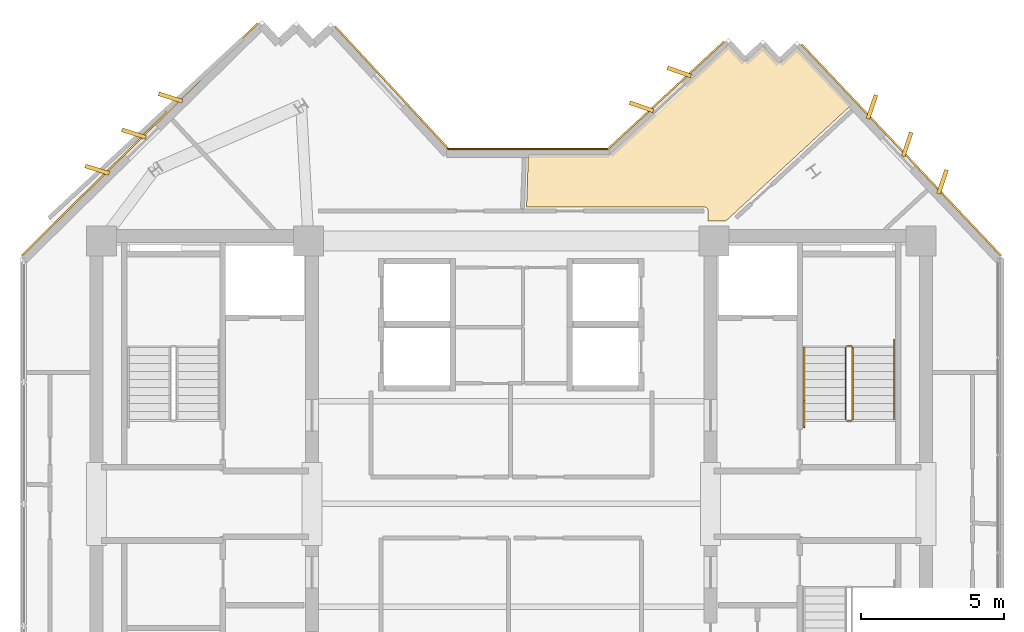
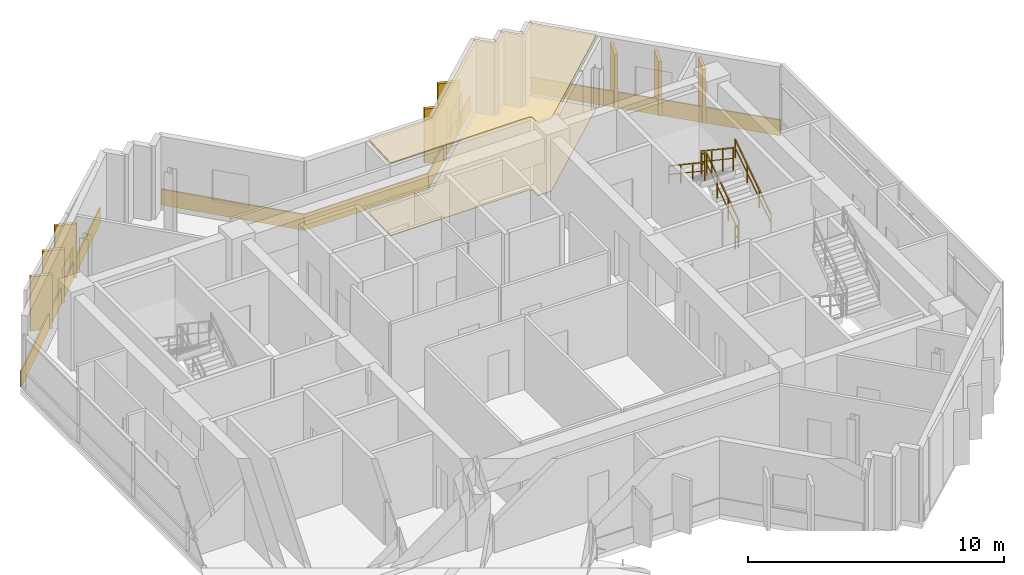
# One storey, part 9 of 9: 15 coverings, 6 railings.
"""IFC4 building model written with IfcOpenShell, lengths in metres."""

from ifc_helpers import new_model, si_unit, direction, frame, origin, origin_2d, place, context, subcontext, project, spatial, polyline, rectangle, outline, extrude, source, transform, mapped, material, layer, layer_set, type_object, element, save


model = new_model("IFC4")

# Units and contexts
model_context = context("Model", 3, precision=1e-05, world=origin(), true_north=direction((0.0, 1.0)))
body_context = subcontext(model_context, "Body", "Model", "MODEL_VIEW")
ifc_project = project(units=[si_unit("LENGTHUNIT", "METRE"), si_unit("AREAUNIT", "SQUARE_METRE"), si_unit("VOLUMEUNIT", "CUBIC_METRE"), si_unit("PLANEANGLEUNIT", "RADIAN"), si_unit("MASSUNIT", "GRAM", prefix="KILO")], contexts=[model_context])

# Site, building, storey
site_placement = place(None, origin())
site = spatial("IfcSite", under=ifc_project, at=site_placement, CompositionType="ELEMENT")
building_placement = place(site_placement, origin())
building = spatial("IfcBuilding", under=site, at=building_placement, Name="Zahravan Cultural Tower", CompositionType="ELEMENT")
storey_placement = place(building_placement, frame((0.0, 0.0, 299.10009765625)))
storey = spatial("IfcBuildingStorey", under=building, at=storey_placement, Name="L72", CompositionType="ELEMENT", Elevation=299.10009765625)

# Coverings
ifc_material_1 = material(Name="Acoustic mineral fibreboard")
ifc_layer_1 = layer(ifc_material_1, 0.0400390625)
ifc_layer_set_1 = layer_set([ifc_layer_1], Name="Acoustic mineral fibreboard")
covering_type_1 = type_object("IfcCoveringType", Name="COV-CEIL-AC20", PredefinedType="CEILING", material=ifc_layer_set_1)
covering_1_placement = place(storey_placement, frame((0.0, 0.0, 3.4599609375)))
element("IfcCovering", 1, at=covering_1_placement, inside=storey, type_object=covering_type_1, Name="L72 Acoustic Suspended Ceiling", PredefinedType="CEILING", context=body_context, shape_type="SweptSolid", body=[
    extrude(outline(polyline([(46.0068359375, 42.984619140625), (45.492919921875, 42.509521484375), (45.4326171875, 42.476318359375), (45.353515625, 42.4755859375), (45.2890625, 42.50927734375), (44.8056640625, 43.031494140625), (44.293212890625, 42.5576171875), (44.246337890625, 42.52880859375), (44.184326171875, 42.51904296875), (44.122802734375, 42.53369140625), (44.078125, 42.566162109375), (43.6044921875, 43.078369140625), (39.4951171875, 39.277587890625), (39.450927734375, 39.249755859375), (39.3994140625, 39.239990234375), (36.59814453125, 39.239990234375), (36.53515625, 37.39990234375), (42.77392578125, 37.399658203125), (42.8525390625, 37.362548828125), (42.8896484375, 37.283935546875), (42.889892578125, 36.89990234375), (43.5078125, 36.89990234375), (47.8876953125, 40.951171875), (46.0068359375, 42.984619140625)])), origin(), (0.0, 0.0, 1.0), 0.0400390625),
])
ifc_material_2 = material(Name="Terrazzo flooring")
ifc_layer_2 = layer(ifc_material_2, 0.02490234375)
ifc_layer_set_2 = layer_set([ifc_layer_2], Name="Terrazzo flooring")
covering_type_2 = type_object("IfcCoveringType", Name="COV-FLR-TZ25", PredefinedType="FLOORING", material=ifc_layer_set_2)
covering_2_placement = place(storey_placement, origin())
element("IfcCovering", 2, at=covering_2_placement, inside=storey, type_object=covering_type_2, Name="L72 Polished Terrazzo Flooring", PredefinedType="FLOORING", context=body_context, shape_type="SweptSolid", body=[
    extrude(outline(polyline([(46.0068359375, 42.984619140625), (45.492919921875, 42.509521484375), (45.4326171875, 42.476318359375), (45.353515625, 42.4755859375), (45.2890625, 42.50927734375), (44.8056640625, 43.031494140625), (44.293212890625, 42.5576171875), (44.246337890625, 42.52880859375), (44.184326171875, 42.51904296875), (44.122802734375, 42.53369140625), (44.078125, 42.566162109375), (43.6044921875, 43.078369140625), (39.4951171875, 39.277587890625), (39.450927734375, 39.249755859375), (39.3994140625, 39.239990234375), (36.59814453125, 39.239990234375), (36.53515625, 37.39990234375), (42.77392578125, 37.399658203125), (42.8525390625, 37.362548828125), (42.8896484375, 37.283935546875), (42.889892578125, 36.89990234375), (43.5078125, 36.89990234375), (47.8876953125, 40.951171875), (46.0068359375, 42.984619140625)])), origin(), (0.0, 0.0, 1.0), 0.02490234375),
])

# Railings
ifc_material_3 = material(Name="Steel ASTM A572 Grade 50", Category="steel")
railing_type_1 = type_object("IfcRailingType", Name="RL-STAIR-GRD1150", PredefinedType="BALUSTRADE", material=ifc_material_3)
railing_1_placement = place(storey_placement, frame((47.949951171875, 29.949951171875, 0.1875)))
element("IfcRailing", 3, at=railing_1_placement, inside=storey, type_object=railing_type_1, Name="L72 ST-E1 stair guard 1", PredefinedType="BALUSTRADE", context=body_context, shape_type="SweptSolid", body=[
    extrude(rectangle(XDim=0.05, YDim=0.05, at=origin_2d()), frame((0.0, 0.0, 1.0751953125), z_axis=(0.0, 0.830909170722, 0.55640807867), x_axis=(-1.0, 0.0, 0.0)), (0.0, 0.0, 1.0), 3.032958984375),
    extrude(rectangle(XDim=0.032, YDim=0.032, at=origin_2d()), frame((0.0, 0.0, 0.572021484375), z_axis=(0.0, 0.830909170722, 0.55640807867), x_axis=(-1.0, 0.0, 0.0)), (0.0, 0.0, 1.0), 3.032958984375),
    extrude(rectangle(XDim=0.04, YDim=0.04, at=origin_2d()), origin(), (0.0, 0.0, 1.0), 1.10009765625),
    extrude(rectangle(XDim=0.04, YDim=0.04, at=origin_2d()), frame((0.0, 0.840087890625, 0.5625)), (0.0, 0.0, 1.0), 1.10009765625),
    extrude(rectangle(XDim=0.04, YDim=0.04, at=origin_2d()), frame((0.0, 1.679931640625, 1.125)), (0.0, 0.0, 1.0), 1.10009765625),
    extrude(rectangle(XDim=0.04, YDim=0.04, at=origin_2d()), frame((0.0, 2.52001953125, 1.6875)), (0.0, 0.0, 1.0), 1.10009765625),
])
railing_2_placement = place(storey_placement, frame((47.89990234375, 32.52001953125, 1.875)))
element("IfcRailing", 4, at=railing_2_placement, inside=storey, type_object=railing_type_1, Name="L72 ST-E1 stair guard 2", PredefinedType="BALUSTRADE", context=body_context, shape_type="SweptSolid", body=[
    extrude(rectangle(XDim=0.05, YDim=0.05, at=origin_2d()), frame((0.0, 0.0, 1.0751953125), z_axis=(-1.0, 0.0, 0.0), x_axis=(0.0, -1.0, 0.0)), (0.0, 0.0, 1.0), 0.14990234375),
    extrude(rectangle(XDim=0.032, YDim=0.032, at=origin_2d()), frame((0.0, 0.0, 0.572021484375), z_axis=(-1.0, 0.0, 0.0), x_axis=(0.0, -1.0, 0.0)), (0.0, 0.0, 1.0), 0.14990234375),
    extrude(rectangle(XDim=0.04, YDim=0.04, at=origin_2d()), origin(), (0.0, 0.0, 1.0), 1.10009765625),
    extrude(rectangle(XDim=0.04, YDim=0.04, at=origin_2d()), frame((-0.14990234375, 0.0, 0.0)), (0.0, 0.0, 1.0), 1.10009765625),
])
railing_3_placement = place(storey_placement, frame((47.699951171875, 32.469970703125, 2.0625)))
element("IfcRailing", 5, at=railing_3_placement, inside=storey, type_object=railing_type_1, Name="L72 ST-E1 stair guard 3", PredefinedType="BALUSTRADE", context=body_context, shape_type="SweptSolid", body=[
    extrude(rectangle(XDim=0.05, YDim=0.05, at=origin_2d()), frame((0.0, 0.0, 1.0751953125), z_axis=(0.0, -0.830909170722, 0.55640807867), x_axis=(1.0, 0.0, 0.0)), (0.0, 0.0, 1.0), 3.032958984375),
    extrude(rectangle(XDim=0.032, YDim=0.032, at=origin_2d()), frame((0.0, 0.0, 0.572021484375), z_axis=(0.0, -0.830909170722, 0.55640807867), x_axis=(1.0, 0.0, 0.0)), (0.0, 0.0, 1.0), 3.032958984375),
    extrude(rectangle(XDim=0.04, YDim=0.04, at=origin_2d()), origin(), (0.0, 0.0, 1.0), 1.10009765625),
    extrude(rectangle(XDim=0.04, YDim=0.04, at=origin_2d()), frame((0.0, -0.840087890625, 0.5625)), (0.0, 0.0, 1.0), 1.10009765625),
    extrude(rectangle(XDim=0.04, YDim=0.04, at=origin_2d()), frame((0.0, -1.679931640625, 1.125)), (0.0, 0.0, 1.0), 1.10009765625),
    extrude(rectangle(XDim=0.04, YDim=0.04, at=origin_2d()), frame((0.0, -2.52001953125, 1.6875)), (0.0, 0.0, 1.0), 1.10009765625),
])
railing_4_placement = place(storey_placement, frame((47.89990234375, 29.89990234375, 0.0)))
element("IfcRailing", 6, at=railing_4_placement, inside=storey, type_object=railing_type_1, Name="L72 ST-E1 stair guard 4", PredefinedType="BALUSTRADE", context=body_context, shape_type="SweptSolid", body=[
    extrude(rectangle(XDim=0.05, YDim=0.05, at=origin_2d()), frame((0.0, 0.0, 1.0751953125), z_axis=(-1.0, 0.0, 0.0), x_axis=(0.0, -1.0, 0.0)), (0.0, 0.0, 1.0), 0.14990234375),
    extrude(rectangle(XDim=0.032, YDim=0.032, at=origin_2d()), frame((0.0, 0.0, 0.572021484375), z_axis=(-1.0, 0.0, 0.0), x_axis=(0.0, -1.0, 0.0)), (0.0, 0.0, 1.0), 0.14990234375),
    extrude(rectangle(XDim=0.04, YDim=0.04, at=origin_2d()), origin(), (0.0, 0.0, 1.0), 1.10009765625),
    extrude(rectangle(XDim=0.04, YDim=0.04, at=origin_2d()), frame((-0.14990234375, 0.0, 0.0)), (0.0, 0.0, 1.0), 1.10009765625),
])
railing_type_2 = type_object("IfcRailingType", Name="RL-STAIR-HR900", PredefinedType="HANDRAIL", material=ifc_material_3)
railing_5_placement = place(storey_placement, frame((49.39990234375, 29.949951171875, 0.1875)))
element("IfcRailing", 7, at=railing_5_placement, inside=storey, type_object=railing_type_2, Name="L72 ST-E1 stair handrail 1", PredefinedType="HANDRAIL", context=body_context, shape_type="SweptSolid", body=[
    extrude(rectangle(XDim=0.05, YDim=0.05, at=origin_2d()), frame((0.0, 0.0, 0.875), z_axis=(0.0, 0.830911662861, 0.55640435703), x_axis=(-1.0, 0.0, 0.0)), (0.0, 0.0, 1.0), 3.369873046875),
    extrude(rectangle(XDim=0.032, YDim=0.032, at=origin_2d()), frame((0.0, 0.0, 0.468017578125), z_axis=(0.0, 0.830911662861, 0.55640435703), x_axis=(-1.0, 0.0, 0.0)), (0.0, 0.0, 1.0), 3.369873046875),
    extrude(rectangle(XDim=0.04, YDim=0.04, at=origin_2d()), origin(), (0.0, 0.0, 1.0), 0.89990234375),
    extrude(rectangle(XDim=0.04, YDim=0.04, at=origin_2d()), frame((0.0, 0.933349609375, 0.625)), (0.0, 0.0, 1.0), 0.89990234375),
    extrude(rectangle(XDim=0.04, YDim=0.04, at=origin_2d()), frame((0.0, 1.86669921875, 1.25)), (0.0, 0.0, 1.0), 0.89990234375),
    extrude(rectangle(XDim=0.04, YDim=0.04, at=origin_2d()), frame((0.0, 2.800048828125, 1.875)), (0.0, 0.0, 1.0), 0.89990234375),
])
railing_6_placement = place(storey_placement, frame((46.25, 32.469970703125, 2.0625)))
element("IfcRailing", 8, at=railing_6_placement, inside=storey, type_object=railing_type_2, Name="L72 ST-E1 stair handrail 2", PredefinedType="HANDRAIL", context=body_context, shape_type="SweptSolid", body=[
    extrude(rectangle(XDim=0.05, YDim=0.05, at=origin_2d()), frame((0.0, 0.0, 0.875), z_axis=(0.0, -0.830911662861, 0.55640435703), x_axis=(1.0, 0.0, 0.0)), (0.0, 0.0, 1.0), 3.369873046875),
    extrude(rectangle(XDim=0.032, YDim=0.032, at=origin_2d()), frame((0.0, 0.0, 0.468017578125), z_axis=(0.0, -0.830911662861, 0.55640435703), x_axis=(1.0, 0.0, 0.0)), (0.0, 0.0, 1.0), 3.369873046875),
    extrude(rectangle(XDim=0.04, YDim=0.04, at=origin_2d()), origin(), (0.0, 0.0, 1.0), 0.89990234375),
    extrude(rectangle(XDim=0.04, YDim=0.04, at=origin_2d()), frame((0.0, -0.933349609375, 0.625)), (0.0, 0.0, 1.0), 0.89990234375),
    extrude(rectangle(XDim=0.04, YDim=0.04, at=origin_2d()), frame((0.0, -1.86669921875, 1.25)), (0.0, 0.0, 1.0), 0.89990234375),
    extrude(rectangle(XDim=0.04, YDim=0.04, at=origin_2d()), frame((0.0, -2.800048828125, 1.875)), (0.0, 0.0, 1.0), 0.89990234375),
])

# Coverings
ifc_material_4 = material(Name="Terracotta ceramic cladding", Category="masonry")
ifc_layer_3 = layer(ifc_material_4, 0.06005859375)
ifc_layer_set_3 = layer_set([ifc_layer_3], Name="Terracotta ceramic cladding")
covering_type_3 = type_object("IfcCoveringType", Name="COV-CLAD-TC60", PredefinedType="CLADDING", material=ifc_layer_set_3)
shared_shape_1 = source(origin(), body_context, "Body", "SweptSolid", [
    extrude(rectangle(XDim=0.8798828125, YDim=0.139892578125, at=origin_2d()), origin(), (0.0, 0.0, 1.0), 2.580078125),
])
for number, where, z_axis, x_axis, name in (
    (9, (40.559814453125, 40.902587890625, 0.0498046875), (0.0, 0.0, 1.0), (-0.944186800019, 0.329410513904, 0.0), "L72 Herringbone Terracotta Fin 01"),
    (10, (41.88134765625, 42.124755859375, 0.0498046875), (0.0, 0.0, 1.0), (-0.944186800019, 0.329410513904, 0.0), "L72 Herringbone Terracotta Fin 02"),
    (11, (48.62548828125, 40.895263671875, 0.0498046875), (0.0, 0.0, 1.0), (0.319819345143, 0.947478541431, 0.0), "L72 Herringbone Terracotta Fin 03"),
    (12, (49.861083984375, 39.586181640625, 0.0498046875), (0.0, 0.0, 1.0), (0.319819345143, 0.947478541431, 0.0), "L72 Herringbone Terracotta Fin 04"),
    (13, (51.0966796875, 38.27734375, 0.0498046875), (0.0, 0.0, 1.0), (0.319819345143, 0.947478541431, 0.0), "L72 Herringbone Terracotta Fin 05"),
    (14, (21.506591796875, 38.70068359375, 0.0498046875), (0.0, 0.0, 1.0), (-0.954015632209, 0.299756857304, 0.0), "L72 Herringbone Terracotta Fin 16"),
    (15, (22.7890625, 39.96337890625, 0.0498046875), (0.0, 0.0, 1.0), (-0.954015632209, 0.299756857304, 0.0), "L72 Herringbone Terracotta Fin 17"),
    (16, (24.07177734375, 41.226318359375, 0.0498046875), (0.0, 0.0, 1.0), (-0.954015632209, 0.299756857304, 0.0), "L72 Herringbone Terracotta Fin 18"),
):
    element("IfcCovering", number, at=place(storey_placement, frame(where, z_axis=z_axis, x_axis=x_axis)), inside=storey, type_object=covering_type_3, Name=name, PredefinedType="CLADDING", context=body_context, shape_type="MappedRepresentation", body=[
        mapped(shared_shape_1, transform((0.0, 0.0, 0.0), x_axis=(1.0, 0.0, 0.0), y_axis=(0.0, 1.0, 0.0), z_axis=(0.0, 0.0, 1.0), scale=1.0)),
    ])
shared_shape_2 = source(origin(), body_context, "Body", "SweptSolid", [
    extrude(rectangle(XDim=5.56494140625, YDim=0.06005859375, at=origin_2d()), origin(), (0.0, 0.0, 1.0), 0.760009765625),
])
covering_3_placement = place(storey_placement, frame((41.4140625, 41.304443359375, 0.02001953125), z_axis=(0.0, 0.0, 1.0), x_axis=(0.73412107288, 0.679018593525, 0.0)))
element("IfcCovering", 17, at=covering_3_placement, inside=storey, type_object=covering_type_3, Name="L72 Terracotta Spandrel Cladding 01", PredefinedType="CLADDING", context=body_context, shape_type="MappedRepresentation", body=[
    mapped(shared_shape_2, transform((0.0, 0.0, 0.0), x_axis=(1.0, 0.0, 0.0), y_axis=(0.0, 1.0, 0.0), z_axis=(0.0, 0.0, 1.0), scale=1.0)),
])
shared_shape_3 = source(origin(), body_context, "Body", "SweptSolid", [
    extrude(rectangle(XDim=10.173583984375, YDim=0.06005859375, at=origin_2d()), origin(), (0.0, 0.0, 1.0), 0.760009765625),
])
covering_4_placement = place(storey_placement, frame((49.65380859375, 39.390625, 0.02001953125), z_axis=(0.0, 0.0, 1.0), x_axis=(0.686427809669, -0.727197952495, 0.0)))
element("IfcCovering", 18, at=covering_4_placement, inside=storey, type_object=covering_type_3, Name="L72 Terracotta Spandrel Cladding 06", PredefinedType="CLADDING", context=body_context, shape_type="MappedRepresentation", body=[
    mapped(shared_shape_3, transform((0.0, 0.0, 0.0), x_axis=(1.0, 0.0, 0.0), y_axis=(0.0, 1.0, 0.0), z_axis=(0.0, 0.0, 1.0), scale=1.0)),
])
shared_shape_4 = source(origin(), body_context, "Body", "SweptSolid", [
    extrude(rectangle(XDim=11.589599609375, YDim=0.06005859375, at=origin_2d()), origin(), (0.0, 0.0, 1.0), 0.760009765625),
])
covering_5_placement = place(storey_placement, frame((22.989013671875, 39.760498046875, 0.02001953125), z_axis=(0.0, 0.0, 1.0), x_axis=(0.712552805375, 0.701618485755, 0.0)))
element("IfcCovering", 19, at=covering_5_placement, inside=storey, type_object=covering_type_3, Name="L72 Terracotta Spandrel Cladding 20", PredefinedType="CLADDING", context=body_context, shape_type="MappedRepresentation", body=[
    mapped(shared_shape_4, transform((0.0, 0.0, 0.0), x_axis=(1.0, 0.0, 0.0), y_axis=(0.0, 1.0, 0.0), z_axis=(0.0, 0.0, 1.0), scale=1.0)),
])
shared_shape_5 = source(origin(), body_context, "Body", "SweptSolid", [
    extrude(rectangle(XDim=5.8798828125, YDim=0.06005859375, at=origin_2d()), origin(), (0.0, 0.0, 1.0), 0.760009765625),
])
covering_6_placement = place(storey_placement, frame((31.8232421875, 41.56689453125, 0.02001953125), z_axis=(0.0, 0.0, 1.0), x_axis=(0.679005780592, -0.734132923879, 0.0)))
element("IfcCovering", 20, at=covering_6_placement, inside=storey, type_object=covering_type_3, Name="L72 Terracotta Spandrel Cladding 25", PredefinedType="CLADDING", context=body_context, shape_type="MappedRepresentation", body=[
    mapped(shared_shape_5, transform((0.0, 0.0, 0.0), x_axis=(1.0, 0.0, 0.0), y_axis=(0.0, 1.0, 0.0), z_axis=(0.0, 0.0, 1.0), scale=1.0)),
])
shared_shape_6 = source(origin(), body_context, "Body", "SweptSolid", [
    extrude(rectangle(XDim=5.614501953125, YDim=0.06005859375, at=origin_2d()), origin(), (0.0, 0.0, 1.0), 0.760009765625),
])
covering_7_placement = place(storey_placement, frame((36.589599609375, 39.425048828125, 0.02001953125), z_axis=(0.0, 0.0, 1.0), x_axis=(1.0, 0.0, 0.0)))
element("IfcCovering", 21, at=covering_7_placement, inside=storey, type_object=covering_type_3, Name="L72 Terracotta Spandrel Cladding 26", PredefinedType="CLADDING", context=body_context, shape_type="MappedRepresentation", body=[
    mapped(shared_shape_6, transform((0.0, 0.0, 0.0), x_axis=(1.0, 0.0, 0.0), y_axis=(0.0, 1.0, 0.0), z_axis=(0.0, 0.0, 1.0), scale=1.0)),
])

save(model, "model.ifc")
